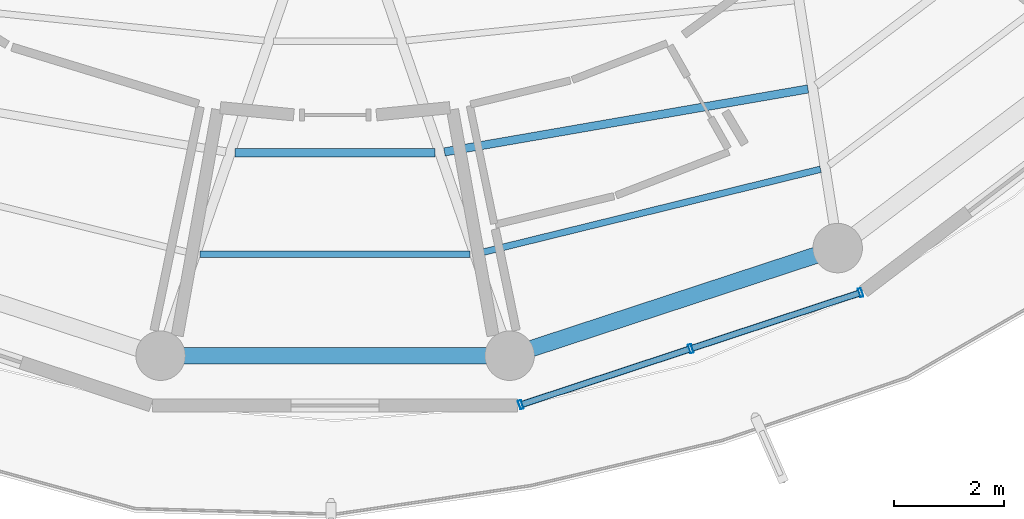
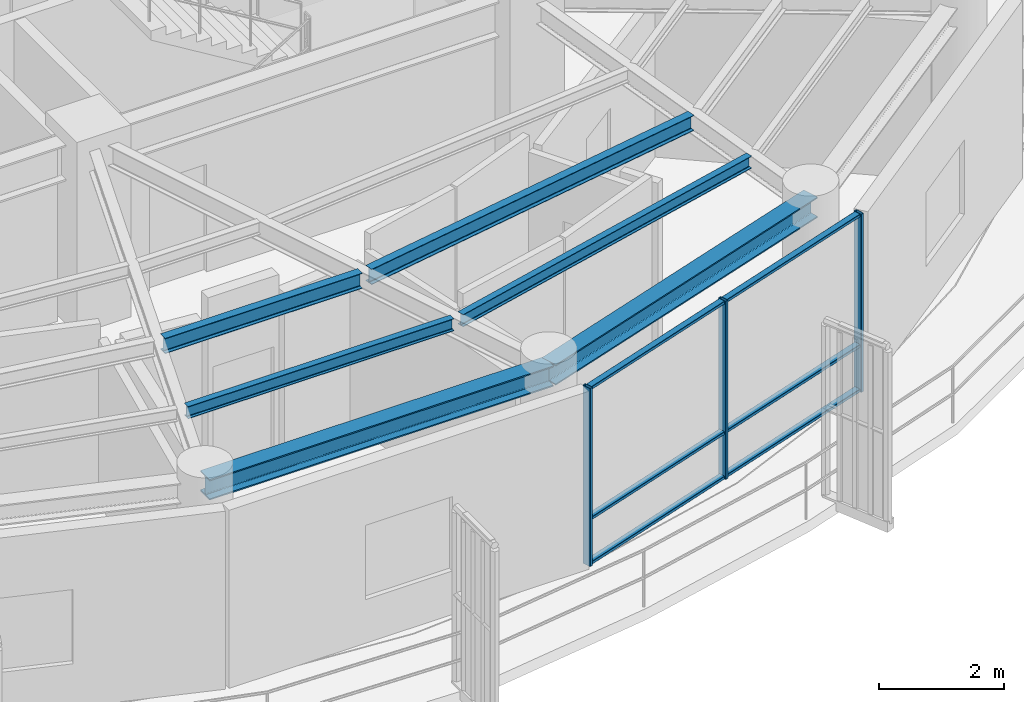
# One storey, part 3 of 22: 9 members, 6 beams, 1 element without a shape of its own.
"""IFC4 building model written with IfcOpenShell, lengths in metres."""

from ifc_helpers import new_model, si_unit, direction, frame, origin, origin_2d, place, context, subcontext, project, spatial, hollow_rectangle, i_section, extrude, material, layer, layer_set, material_profile, profile_set, type_object, element, aggregate, save


model = new_model("IFC4")

# Units and contexts
model_context = context("Model", 3, precision=1e-05, world=origin(), true_north=direction((0.0, 1.0)))
body_context = subcontext(model_context, "Body", "Model", "MODEL_VIEW")
ifc_project = project(units=[si_unit("LENGTHUNIT", "METRE"), si_unit("AREAUNIT", "SQUARE_METRE"), si_unit("VOLUMEUNIT", "CUBIC_METRE"), si_unit("PLANEANGLEUNIT", "RADIAN"), si_unit("MASSUNIT", "GRAM", prefix="KILO")], contexts=[model_context])

# Site, building, storey
site_placement = place(None, origin())
site = spatial("IfcSite", under=ifc_project, at=site_placement, CompositionType="ELEMENT")
building_placement = place(site_placement, origin())
building = spatial("IfcBuilding", under=site, at=building_placement, Name="Kelanora Arch Commons", CompositionType="ELEMENT")
storey_placement = place(building_placement, frame((0.0, 0.0, 274.949951171875)))
storey = spatial("IfcBuildingStorey", under=building, at=storey_placement, Name="L70", CompositionType="ELEMENT", Elevation=274.949951171875)

# Beams
ifc_material_1 = material(Name="Steel S355", Category="steel")
ifc_material_profile_1 = material_profile(ifc_material_1, i_section(OverallWidth=0.14990234375, OverallDepth=0.300048828125, WebThickness=0.007080078125, FlangeThickness=0.0107421875, FilletRadius=0.014892578125, at=origin_2d()), Name="IPE300")
ifc_profile_set_1 = profile_set([ifc_material_profile_1], Name="Steel S355")
beam_type_1 = type_object("IfcBeamType", Name="BM-JST-01", PredefinedType="JOIST", material=ifc_profile_set_1)
beam_1_placement = place(storey_placement, frame((72.180419921875, 45.462158203125, 3.340087890625), z_axis=(1.0, 0.0, 0.0), x_axis=(0.0, 1.0, 0.0)))
element("IfcBeam", 1, at=beam_1_placement, inside=storey, type_object=beam_type_1, Name="Secondary Chord Joist BJB-26 L70", PredefinedType="JOIST", context=body_context, shape_type="SweptSolid", body=[
    extrude(i_section(OverallWidth=0.14990234375, OverallDepth=0.300048828125, WebThickness=0.007080078125, FlangeThickness=0.0107421875, FilletRadius=0.014892578125, at=origin_2d()), origin(), (0.0, 0.0, 1.0), 3.63916015625),
])
beam_2_placement = place(storey_placement, frame((75.98828125, 45.476806640625, 3.340087890625), z_axis=(0.985321568263, 0.170708544357, 0.0), x_axis=(-0.170708544357, 0.985321568263, 0.0)))
element("IfcBeam", 2, at=beam_2_placement, inside=storey, type_object=beam_type_1, Name="Secondary Chord Joist BJB-28 L70", PredefinedType="JOIST", context=body_context, shape_type="SweptSolid", body=[
    extrude(i_section(OverallWidth=0.14990234375, OverallDepth=0.300048828125, WebThickness=0.007080078125, FlangeThickness=0.0107421875, FilletRadius=0.014892578125, at=origin_2d()), origin(), (0.0, 0.0, 1.0), 6.710205078125),
])
ifc_material_profile_2 = material_profile(ifc_material_1, i_section(OverallWidth=0.1201171875, OverallDepth=0.239990234375, WebThickness=0.006103515625, FlangeThickness=0.009765625, FilletRadius=0.014892578125, at=origin_2d()), Name="IPE240")
ifc_profile_set_2 = profile_set([ifc_material_profile_2], Name="Steel S355")
beam_type_2 = type_object("IfcBeamType", Name="BM-JST-02", PredefinedType="JOIST", material=ifc_profile_set_2)
beam_3_placement = place(storey_placement, frame((71.545654296875, 43.6162109375, 3.3701171875), z_axis=(1.0, 0.0, 0.0), x_axis=(0.0, 1.0, 0.0)))
element("IfcBeam", 3, at=beam_3_placement, inside=storey, type_object=beam_type_2, Name="Secondary Chord Joist BJC-26 L70", PredefinedType="JOIST", context=body_context, shape_type="SweptSolid", body=[
    extrude(i_section(OverallWidth=0.1201171875, OverallDepth=0.239990234375, WebThickness=0.006103515625, FlangeThickness=0.009765625, FilletRadius=0.014892578125, at=origin_2d()), origin(), (0.0, 0.0, 1.0), 4.90869140625),
])
beam_4_placement = place(storey_placement, frame((76.6220703125, 43.63671875, 3.3701171875), z_axis=(0.971109719488, 0.23863342749, 0.0), x_axis=(-0.23863342749, 0.971109719488, 0.0)))
element("IfcBeam", 4, at=beam_4_placement, inside=storey, type_object=beam_type_2, Name="Secondary Chord Joist BJC-28 L70", PredefinedType="JOIST", context=body_context, shape_type="SweptSolid", body=[
    extrude(i_section(OverallWidth=0.1201171875, OverallDepth=0.239990234375, WebThickness=0.006103515625, FlangeThickness=0.009765625, FilletRadius=0.014892578125, at=origin_2d()), origin(), (0.0, 0.0, 1.0), 6.39208984375),
])
ifc_material_profile_3 = material_profile(ifc_material_1, i_section(OverallWidth=0.300048828125, OverallDepth=0.39990234375, WebThickness=0.013427734375, FlangeThickness=0.02392578125, FilletRadius=0.027099609375, at=origin_2d()), Name="HEB400")
ifc_profile_set_3 = profile_set([ifc_material_profile_3], Name="Steel S355")
beam_type_3 = type_object("IfcBeamType", Name="BM-SPN-Z4", PredefinedType="SPANDREL", material=ifc_profile_set_3)
beam_5_placement = place(storey_placement, frame((70.82568359375, 41.7705078125, 3.2900390625), z_axis=(1.0, 0.0, 0.0), x_axis=(0.0, 1.0, 0.0)))
element("IfcBeam", 5, at=beam_5_placement, inside=storey, type_object=beam_type_3, Name="Perimeter Spandrel Beam BS-26 L70", PredefinedType="SPANDREL", context=body_context, shape_type="SweptSolid", body=[
    extrude(i_section(OverallWidth=0.300048828125, OverallDepth=0.39990234375, WebThickness=0.013427734375, FlangeThickness=0.02392578125, FilletRadius=0.027099609375, at=origin_2d()), origin(), (0.0, 0.0, 1.0), 6.3486328125),
])
beam_6_placement = place(storey_placement, frame((77.17431640625, 41.7705078125, 3.2900390625), z_axis=(0.950165923039, 0.311744636996, 0.0), x_axis=(-0.311744636996, 0.950165923039, 0.0)))
element("IfcBeam", 6, at=beam_6_placement, inside=storey, type_object=beam_type_3, Name="Perimeter Spandrel Beam BS-28 L70", PredefinedType="SPANDREL", context=body_context, shape_type="SweptSolid", body=[
    extrude(i_section(OverallWidth=0.300048828125, OverallDepth=0.39990234375, WebThickness=0.013427734375, FlangeThickness=0.02392578125, FilletRadius=0.027099609375, at=origin_2d()), origin(), (0.0, 0.0, 1.0), 6.278564453125),
])

# Curtain wall, members
ifc_material_2 = material(Name="Terracotta ceramic-fritted low-E glass and aluminium", Category="masonry")
ifc_layer = layer(ifc_material_2, 0.18994140625)
ifc_layer_set = layer_set([ifc_layer], Name="Terracotta ceramic-fritted low-E glass and aluminium")
curtain_wall_type = type_object("IfcCurtainWallType", Name="CW-SYS-03", PredefinedType="NOTDEFINED", material=ifc_layer_set)
curtain_wall_placement = place(storey_placement, origin())
curtain_wall = element("IfcCurtainWall", 7, at=curtain_wall_placement, inside=storey, type_object=curtain_wall_type, Name="Unitised Curtain Wall L70-B14", PredefinedType="NOTDEFINED")
ifc_material_3 = material(Name="Powder-coated aluminium terracotta", Category="masonry")
ifc_material_profile_4 = material_profile(ifc_material_3, hollow_rectangle(XDim=0.159912109375, YDim=0.06005859375, WallThickness=0.0048828125, InnerFilletRadius=0.0048828125, OuterFilletRadius=0.010009765625, at=origin_2d()), Name="CWM160x60")
ifc_profile_set_4 = profile_set([ifc_material_profile_4], Name="Powder-coated aluminium terracotta")
member_type_1 = type_object("IfcMemberType", Name="CWM-STD", PredefinedType="MULLION", material=ifc_profile_set_4)
member_1_placement = place(storey_placement, frame((77.376708984375, 40.87841796875, 0.0), z_axis=(0.0, 0.0, 1.0), x_axis=(-0.313252785344, 0.949669780752, 0.0)))
member_1 = element("IfcMember", 8, at=member_1_placement, type_object=member_type_1, Name="CW-03 mullion 1", PredefinedType="MULLION", context=body_context, shape_type="SweptSolid", body=[
    extrude(hollow_rectangle(XDim=0.159912109375, YDim=0.06005859375, WallThickness=0.0048828125, InnerFilletRadius=0.0048828125, OuterFilletRadius=0.010009765625, at=origin_2d()), origin(), (0.0, 0.0, 1.0), 3.47509765625),
])
member_2_placement = place(storey_placement, frame((80.467041015625, 41.897705078125, 0.0), z_axis=(0.0, 0.0, 1.0), x_axis=(-0.313252785344, 0.949669780752, 0.0)))
member_2 = element("IfcMember", 9, at=member_2_placement, type_object=member_type_1, Name="CW-03 mullion 2", PredefinedType="MULLION", context=body_context, shape_type="SweptSolid", body=[
    extrude(hollow_rectangle(XDim=0.159912109375, YDim=0.06005859375, WallThickness=0.0048828125, InnerFilletRadius=0.0048828125, OuterFilletRadius=0.010009765625, at=origin_2d()), origin(), (0.0, 0.0, 1.0), 3.47509765625),
])
member_3_placement = place(storey_placement, frame((83.557373046875, 42.9169921875, 0.0), z_axis=(0.0, 0.0, 1.0), x_axis=(-0.313252785344, 0.949669780752, 0.0)))
member_3 = element("IfcMember", 10, at=member_3_placement, type_object=member_type_1, Name="CW-03 mullion 3", PredefinedType="MULLION", context=body_context, shape_type="SweptSolid", body=[
    extrude(hollow_rectangle(XDim=0.159912109375, YDim=0.06005859375, WallThickness=0.0048828125, InnerFilletRadius=0.0048828125, OuterFilletRadius=0.010009765625, at=origin_2d()), origin(), (0.0, 0.0, 1.0), 3.47509765625),
])
ifc_material_profile_5 = material_profile(ifc_material_3, hollow_rectangle(XDim=0.1201171875, YDim=0.06005859375, WallThickness=0.0048828125, InnerFilletRadius=0.0048828125, OuterFilletRadius=0.010009765625, at=origin_2d()), Name="CWT120x60")
ifc_profile_set_5 = profile_set([ifc_material_profile_5], Name="Powder-coated aluminium terracotta")
member_type_2 = type_object("IfcMemberType", Name="CWT-STD", PredefinedType="USERDEFINED", material=ifc_profile_set_5)
member_4_placement = place(storey_placement, frame((77.4052734375, 40.8876953125, 0.030029296875), z_axis=(0.949649574195, 0.313314037719, 0.0), x_axis=(-0.313314037719, 0.949649574195, 0.0)))
member_4 = element("IfcMember", 11, at=member_4_placement, type_object=member_type_2, Name="CW-03 transom 1.1", ObjectType="TRANSOM", PredefinedType="USERDEFINED", context=body_context, shape_type="SweptSolid", body=[
    extrude(hollow_rectangle(XDim=0.1201171875, YDim=0.06005859375, WallThickness=0.0048828125, InnerFilletRadius=0.0048828125, OuterFilletRadius=0.010009765625, at=origin_2d()), origin(), (0.0, 0.0, 1.0), 3.194091796875),
])
member_5_placement = place(storey_placement, frame((77.4052734375, 40.8876953125, 0.900146484375), z_axis=(0.949649574195, 0.313314037719, 0.0), x_axis=(-0.313314037719, 0.949649574195, 0.0)))
member_5 = element("IfcMember", 12, at=member_5_placement, type_object=member_type_2, Name="CW-03 transom 1.2", ObjectType="TRANSOM", PredefinedType="USERDEFINED", context=body_context, shape_type="SweptSolid", body=[
    extrude(hollow_rectangle(XDim=0.1201171875, YDim=0.06005859375, WallThickness=0.0048828125, InnerFilletRadius=0.0048828125, OuterFilletRadius=0.010009765625, at=origin_2d()), origin(), (0.0, 0.0, 1.0), 3.194091796875),
])
member_6_placement = place(storey_placement, frame((77.4052734375, 40.8876953125, 3.445068359375), z_axis=(0.949649574195, 0.313314037719, 0.0), x_axis=(-0.313314037719, 0.949649574195, 0.0)))
member_6 = element("IfcMember", 13, at=member_6_placement, type_object=member_type_2, Name="CW-03 transom 1.3", ObjectType="TRANSOM", PredefinedType="USERDEFINED", context=body_context, shape_type="SweptSolid", body=[
    extrude(hollow_rectangle(XDim=0.1201171875, YDim=0.06005859375, WallThickness=0.0048828125, InnerFilletRadius=0.0048828125, OuterFilletRadius=0.010009765625, at=origin_2d()), origin(), (0.0, 0.0, 1.0), 3.194091796875),
])
member_7_placement = place(storey_placement, frame((80.49560546875, 41.9072265625, 0.030029296875), z_axis=(0.949672315102, 0.313245102003, 0.0), x_axis=(-0.313245102003, 0.949672315102, 0.0)))
member_7 = element("IfcMember", 14, at=member_7_placement, type_object=member_type_2, Name="CW-03 transom 2.1", ObjectType="TRANSOM", PredefinedType="USERDEFINED", context=body_context, shape_type="SweptSolid", body=[
    extrude(hollow_rectangle(XDim=0.1201171875, YDim=0.06005859375, WallThickness=0.0048828125, InnerFilletRadius=0.0048828125, OuterFilletRadius=0.010009765625, at=origin_2d()), origin(), (0.0, 0.0, 1.0), 3.19384765625),
])
member_8_placement = place(storey_placement, frame((80.49560546875, 41.9072265625, 0.900146484375), z_axis=(0.949672315102, 0.313245102003, 0.0), x_axis=(-0.313245102003, 0.949672315102, 0.0)))
member_8 = element("IfcMember", 15, at=member_8_placement, type_object=member_type_2, Name="CW-03 transom 2.2", ObjectType="TRANSOM", PredefinedType="USERDEFINED", context=body_context, shape_type="SweptSolid", body=[
    extrude(hollow_rectangle(XDim=0.1201171875, YDim=0.06005859375, WallThickness=0.0048828125, InnerFilletRadius=0.0048828125, OuterFilletRadius=0.010009765625, at=origin_2d()), origin(), (0.0, 0.0, 1.0), 3.19384765625),
])
member_9_placement = place(storey_placement, frame((80.49560546875, 41.9072265625, 3.445068359375), z_axis=(0.949672315102, 0.313245102003, 0.0), x_axis=(-0.313245102003, 0.949672315102, 0.0)))
member_9 = element("IfcMember", 16, at=member_9_placement, type_object=member_type_2, Name="CW-03 transom 2.3", ObjectType="TRANSOM", PredefinedType="USERDEFINED", context=body_context, shape_type="SweptSolid", body=[
    extrude(hollow_rectangle(XDim=0.1201171875, YDim=0.06005859375, WallThickness=0.0048828125, InnerFilletRadius=0.0048828125, OuterFilletRadius=0.010009765625, at=origin_2d()), origin(), (0.0, 0.0, 1.0), 3.19384765625),
])
aggregate(curtain_wall, [member_1, member_2, member_3, member_4, member_5, member_6, member_7, member_8, member_9])

save(model, "model.ifc")
